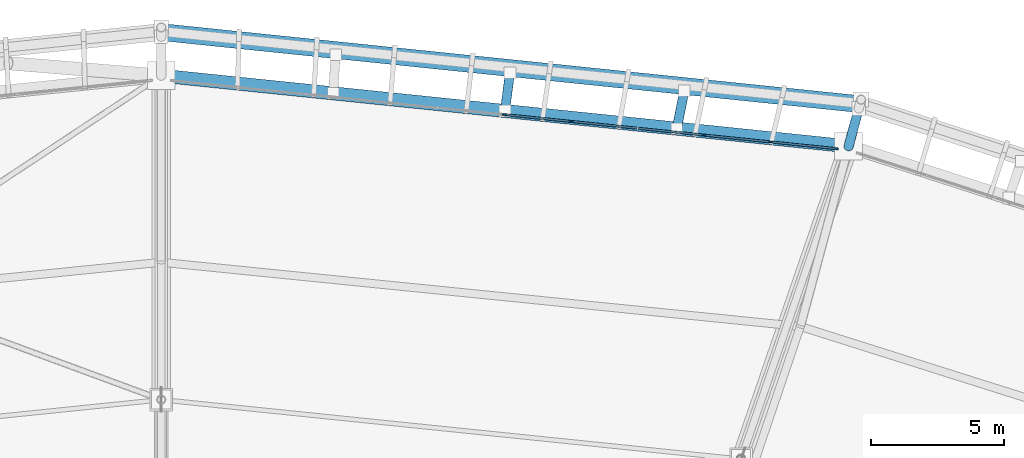
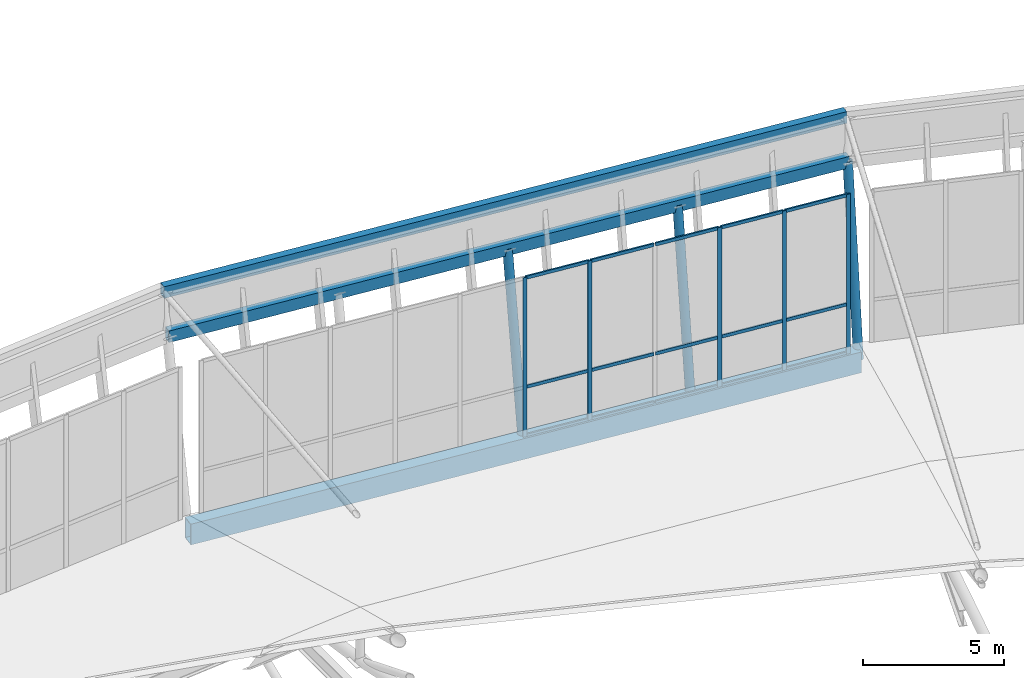
# One storey, part 73 of 115: 23 members, 3 beams, 1 element without a shape of its own.
"""IFC4 building model written with IfcOpenShell, lengths in metres."""

from ifc_helpers import new_model, si_unit, direction, frame, origin, origin_2d, place, context, subcontext, project, spatial, rectangle, hollow_rectangle, hollow_circle, extrude, material, material_profile, profile_set, type_object, element, aggregate, save


model = new_model("IFC4")

# Units and contexts
model_context = context("Model", 3, precision=1e-05, world=origin(), true_north=direction((0.0, 1.0)))
body_context = subcontext(model_context, "Body", "Model", "MODEL_VIEW")
ifc_project = project(units=[si_unit("LENGTHUNIT", "METRE"), si_unit("AREAUNIT", "SQUARE_METRE"), si_unit("VOLUMEUNIT", "CUBIC_METRE"), si_unit("PLANEANGLEUNIT", "RADIAN"), si_unit("MASSUNIT", "GRAM", prefix="KILO")], contexts=[model_context])

# Site, building, storey
site_placement = place(None, origin())
site = spatial("IfcSite", under=ifc_project, at=site_placement, CompositionType="ELEMENT")
building_placement = place(site_placement, origin())
building = spatial("IfcBuilding", under=site, at=building_placement, Name="Zlatoyarsky Gate Stadium", CompositionType="ELEMENT")
storey_placement = place(building_placement, frame((0.0, 0.0, 31.800048828125)))
storey = spatial("IfcBuildingStorey", under=building, at=storey_placement, Name="RF", CompositionType="ELEMENT", Elevation=31.800048828125)

# Curtain wall, members
ifc_material_1 = material(Name="Thermally broken anodised aluminium curtain wall", Category="aluminium")
curtain_wall_type = type_object("IfcCurtainWallType", Name="UNITISED SKYBOX RING GLAZING L05", PredefinedType="USERDEFINED", material=ifc_material_1)
curtain_wall_placement = place(storey_placement, origin())
curtain_wall = element("IfcCurtainWall", 1, at=curtain_wall_placement, inside=storey, type_object=curtain_wall_type, Name="Curtain wall CW-RF-05", ObjectType="UNITISED GLAZING", PredefinedType="USERDEFINED")
ifc_material_2 = material(Name="Anodised aluminium 6063-T6", Category="aluminium")
ifc_material_profile_1 = material_profile(ifc_material_2, rectangle(XDim=0.06494140625, YDim=0.159912109375, at=origin_2d()), Name="ALU 65X160")
ifc_profile_set_1 = profile_set([ifc_material_profile_1], Name="Anodised aluminium 6063-T6")
member_type_1 = type_object("IfcMemberType", Name="ALUMINIUM MULLION 65X160", PredefinedType="MULLION", material=ifc_profile_set_1)
member_1_placement = place(storey_placement, frame((136.422607421875, 155.27783203125, 0.0), z_axis=(0.0, 0.0, 1.0), x_axis=(-0.102125168703, -0.994771556649, 0.0)))
member_1 = element("IfcMember", 2, at=member_1_placement, type_object=member_type_1, Name="CW-UG5 mullion 1", PredefinedType="MULLION", context=body_context, shape_type="SweptSolid", body=[
    extrude(rectangle(XDim=0.06494140625, YDim=0.159912109375, at=origin_2d()), origin(), (0.0, 0.0, 1.0), 6.89990234375),
])
member_2_placement = place(storey_placement, frame((133.94921875, 155.53173828125, 0.0), z_axis=(0.0, 0.0, 1.0), x_axis=(-0.102125168703, -0.994771556649, 0.0)))
member_2 = element("IfcMember", 3, at=member_2_placement, type_object=member_type_1, Name="CW-UG5 mullion 2", PredefinedType="MULLION", context=body_context, shape_type="SweptSolid", body=[
    extrude(rectangle(XDim=0.06494140625, YDim=0.159912109375, at=origin_2d()), origin(), (0.0, 0.0, 1.0), 6.89990234375),
])
member_3_placement = place(storey_placement, frame((131.443603515625, 155.788818359375, 0.0), z_axis=(0.0, 0.0, 1.0), x_axis=(-0.102125168703, -0.994771556649, 0.0)))
member_3 = element("IfcMember", 4, at=member_3_placement, type_object=member_type_1, Name="CW-UG5 mullion 3", PredefinedType="MULLION", context=body_context, shape_type="SweptSolid", body=[
    extrude(rectangle(XDim=0.06494140625, YDim=0.159912109375, at=origin_2d()), origin(), (0.0, 0.0, 1.0), 6.89990234375),
])
member_4_placement = place(storey_placement, frame((126.43212890625, 156.303466796875, 0.0), z_axis=(0.0, 0.0, 1.0), x_axis=(-0.102125168703, -0.994771556649, 0.0)))
member_4 = element("IfcMember", 5, at=member_4_placement, type_object=member_type_1, Name="CW-UG5 mullion 5", PredefinedType="MULLION", context=body_context, shape_type="SweptSolid", body=[
    extrude(rectangle(XDim=0.06494140625, YDim=0.159912109375, at=origin_2d()), origin(), (0.0, 0.0, 1.0), 6.89990234375),
])
member_5_placement = place(storey_placement, frame((123.926513671875, 156.560546875, 0.0), z_axis=(0.0, 0.0, 1.0), x_axis=(-0.102125168703, -0.994771556649, 0.0)))
member_5 = element("IfcMember", 6, at=member_5_placement, type_object=member_type_1, Name="CW-UG5 mullion 6", PredefinedType="MULLION", context=body_context, shape_type="SweptSolid", body=[
    extrude(rectangle(XDim=0.06494140625, YDim=0.159912109375, at=origin_2d()), origin(), (0.0, 0.0, 1.0), 6.89990234375),
])
ifc_material_profile_2 = material_profile(ifc_material_2, rectangle(XDim=0.06494140625, YDim=0.139892578125, at=origin_2d()), Name="ALU 65X140")
ifc_profile_set_2 = profile_set([ifc_material_profile_2], Name="Anodised aluminium 6063-T6")
member_type_2 = type_object("IfcMemberType", Name="ALUMINIUM TRANSOM 65X140", PredefinedType="USERDEFINED", material=ifc_profile_set_2)
member_6_placement = place(storey_placement, frame((136.39013671875, 155.281005859375, 0.032470703125), z_axis=(-0.994770149226, 0.102138877069, 0.0), x_axis=(-0.102138877069, -0.994770149226, 0.0)))
member_6 = element("IfcMember", 7, at=member_6_placement, type_object=member_type_2, Name="CW-UG5 transom 1.1", ObjectType="TRANSOM", PredefinedType="USERDEFINED", context=body_context, shape_type="SweptSolid", body=[
    extrude(rectangle(XDim=0.06494140625, YDim=0.139892578125, at=origin_2d()), origin(), (0.0, 0.0, 1.0), 2.42138671875),
])
member_7_placement = place(storey_placement, frame((136.39013671875, 155.281005859375, 2.14990234375), z_axis=(-0.994770149226, 0.102138877069, 0.0), x_axis=(-0.102138877069, -0.994770149226, 0.0)))
member_7 = element("IfcMember", 8, at=member_7_placement, type_object=member_type_2, Name="CW-UG5 transom 1.2", ObjectType="TRANSOM", PredefinedType="USERDEFINED", context=body_context, shape_type="SweptSolid", body=[
    extrude(rectangle(XDim=0.06494140625, YDim=0.139892578125, at=origin_2d()), origin(), (0.0, 0.0, 1.0), 2.42138671875),
])
member_8_placement = place(storey_placement, frame((136.39013671875, 155.281005859375, 6.867431640625), z_axis=(-0.994770149226, 0.102138877069, 0.0), x_axis=(-0.102138877069, -0.994770149226, 0.0)))
member_8 = element("IfcMember", 9, at=member_8_placement, type_object=member_type_2, Name="CW-UG5 transom 1.3", ObjectType="TRANSOM", PredefinedType="USERDEFINED", context=body_context, shape_type="SweptSolid", body=[
    extrude(rectangle(XDim=0.06494140625, YDim=0.139892578125, at=origin_2d()), origin(), (0.0, 0.0, 1.0), 2.42138671875),
])
member_9_placement = place(storey_placement, frame((133.916748046875, 155.534912109375, 0.032470703125), z_axis=(-0.994765631546, 0.102182866933, 0.0), x_axis=(-0.102182866933, -0.994765631546, 0.0)))
member_9 = element("IfcMember", 10, at=member_9_placement, type_object=member_type_2, Name="CW-UG5 transom 2.1", ObjectType="TRANSOM", PredefinedType="USERDEFINED", context=body_context, shape_type="SweptSolid", body=[
    extrude(rectangle(XDim=0.06494140625, YDim=0.139892578125, at=origin_2d()), origin(), (0.0, 0.0, 1.0), 2.453857421875),
])
member_10_placement = place(storey_placement, frame((133.916748046875, 155.534912109375, 2.14990234375), z_axis=(-0.994765631546, 0.102182866933, 0.0), x_axis=(-0.102182866933, -0.994765631546, 0.0)))
member_10 = element("IfcMember", 11, at=member_10_placement, type_object=member_type_2, Name="CW-UG5 transom 2.2", ObjectType="TRANSOM", PredefinedType="USERDEFINED", context=body_context, shape_type="SweptSolid", body=[
    extrude(rectangle(XDim=0.06494140625, YDim=0.139892578125, at=origin_2d()), origin(), (0.0, 0.0, 1.0), 2.453857421875),
])
member_11_placement = place(storey_placement, frame((133.916748046875, 155.534912109375, 6.867431640625), z_axis=(-0.994765631546, 0.102182866933, 0.0), x_axis=(-0.102182866933, -0.994765631546, 0.0)))
member_11 = element("IfcMember", 12, at=member_11_placement, type_object=member_type_2, Name="CW-UG5 transom 2.3", ObjectType="TRANSOM", PredefinedType="USERDEFINED", context=body_context, shape_type="SweptSolid", body=[
    extrude(rectangle(XDim=0.06494140625, YDim=0.139892578125, at=origin_2d()), origin(), (0.0, 0.0, 1.0), 2.453857421875),
])
member_12_placement = place(storey_placement, frame((131.4111328125, 155.792236328125, 0.032470703125), z_axis=(-0.994775740393, 0.102084407846, 0.0), x_axis=(-0.102084407846, -0.994775740393, 0.0)))
member_12 = element("IfcMember", 13, at=member_12_placement, type_object=member_type_2, Name="CW-UG5 transom 3.1", ObjectType="TRANSOM", PredefinedType="USERDEFINED", context=body_context, shape_type="SweptSolid", body=[
    extrude(rectangle(XDim=0.06494140625, YDim=0.139892578125, at=origin_2d()), origin(), (0.0, 0.0, 1.0), 2.453857421875),
])
member_13_placement = place(storey_placement, frame((131.4111328125, 155.792236328125, 2.14990234375), z_axis=(-0.994775740393, 0.102084407846, 0.0), x_axis=(-0.102084407846, -0.994775740393, 0.0)))
member_13 = element("IfcMember", 14, at=member_13_placement, type_object=member_type_2, Name="CW-UG5 transom 3.2", ObjectType="TRANSOM", PredefinedType="USERDEFINED", context=body_context, shape_type="SweptSolid", body=[
    extrude(rectangle(XDim=0.06494140625, YDim=0.139892578125, at=origin_2d()), origin(), (0.0, 0.0, 1.0), 2.453857421875),
])
member_14_placement = place(storey_placement, frame((131.4111328125, 155.792236328125, 6.867431640625), z_axis=(-0.994775740393, 0.102084407846, 0.0), x_axis=(-0.102084407846, -0.994775740393, 0.0)))
member_14 = element("IfcMember", 15, at=member_14_placement, type_object=member_type_2, Name="CW-UG5 transom 3.3", ObjectType="TRANSOM", PredefinedType="USERDEFINED", context=body_context, shape_type="SweptSolid", body=[
    extrude(rectangle(XDim=0.06494140625, YDim=0.139892578125, at=origin_2d()), origin(), (0.0, 0.0, 1.0), 2.453857421875),
])
member_15_placement = place(storey_placement, frame((128.905517578125, 156.049560546875, 0.032470703125), z_axis=(-0.994776777125, 0.102074304763, 0.0), x_axis=(-0.102074304763, -0.994776777125, 0.0)))
member_15 = element("IfcMember", 16, at=member_15_placement, type_object=member_type_2, Name="CW-UG5 transom 4.1", ObjectType="TRANSOM", PredefinedType="USERDEFINED", context=body_context, shape_type="SweptSolid", body=[
    extrude(rectangle(XDim=0.06494140625, YDim=0.139892578125, at=origin_2d()), origin(), (0.0, 0.0, 1.0), 2.4541015625),
])
member_16_placement = place(storey_placement, frame((128.905517578125, 156.049560546875, 2.14990234375), z_axis=(-0.994776777125, 0.102074304763, 0.0), x_axis=(-0.102074304763, -0.994776777125, 0.0)))
member_16 = element("IfcMember", 17, at=member_16_placement, type_object=member_type_2, Name="CW-UG5 transom 4.2", ObjectType="TRANSOM", PredefinedType="USERDEFINED", context=body_context, shape_type="SweptSolid", body=[
    extrude(rectangle(XDim=0.06494140625, YDim=0.139892578125, at=origin_2d()), origin(), (0.0, 0.0, 1.0), 2.4541015625),
])
member_17_placement = place(storey_placement, frame((128.905517578125, 156.049560546875, 6.867431640625), z_axis=(-0.994776777125, 0.102074304763, 0.0), x_axis=(-0.102074304763, -0.994776777125, 0.0)))
member_17 = element("IfcMember", 18, at=member_17_placement, type_object=member_type_2, Name="CW-UG5 transom 4.3", ObjectType="TRANSOM", PredefinedType="USERDEFINED", context=body_context, shape_type="SweptSolid", body=[
    extrude(rectangle(XDim=0.06494140625, YDim=0.139892578125, at=origin_2d()), origin(), (0.0, 0.0, 1.0), 2.4541015625),
])
member_18_placement = place(storey_placement, frame((126.399658203125, 156.306640625, 0.032470703125), z_axis=(-0.994765631546, 0.102182866933, 0.0), x_axis=(-0.102182866933, -0.994765631546, 0.0)))
member_18 = element("IfcMember", 19, at=member_18_placement, type_object=member_type_2, Name="CW-UG5 transom 5.1", ObjectType="TRANSOM", PredefinedType="USERDEFINED", context=body_context, shape_type="SweptSolid", body=[
    extrude(rectangle(XDim=0.06494140625, YDim=0.139892578125, at=origin_2d()), origin(), (0.0, 0.0, 1.0), 2.453857421875),
])
member_19_placement = place(storey_placement, frame((126.399658203125, 156.306640625, 2.14990234375), z_axis=(-0.994765631546, 0.102182866933, 0.0), x_axis=(-0.102182866933, -0.994765631546, 0.0)))
member_19 = element("IfcMember", 20, at=member_19_placement, type_object=member_type_2, Name="CW-UG5 transom 5.2", ObjectType="TRANSOM", PredefinedType="USERDEFINED", context=body_context, shape_type="SweptSolid", body=[
    extrude(rectangle(XDim=0.06494140625, YDim=0.139892578125, at=origin_2d()), origin(), (0.0, 0.0, 1.0), 2.453857421875),
])
member_20_placement = place(storey_placement, frame((126.399658203125, 156.306640625, 6.867431640625), z_axis=(-0.994765631546, 0.102182866933, 0.0), x_axis=(-0.102182866933, -0.994765631546, 0.0)))
member_20 = element("IfcMember", 21, at=member_20_placement, type_object=member_type_2, Name="CW-UG5 transom 5.3", ObjectType="TRANSOM", PredefinedType="USERDEFINED", context=body_context, shape_type="SweptSolid", body=[
    extrude(rectangle(XDim=0.06494140625, YDim=0.139892578125, at=origin_2d()), origin(), (0.0, 0.0, 1.0), 2.453857421875),
])
aggregate(curtain_wall, [member_1, member_2, member_3, member_4, member_5, member_6, member_7, member_8, member_9, member_10, member_11, member_12, member_13, member_14, member_15, member_16, member_17, member_18, member_19, member_20])

# Members
ifc_material_3 = material(Name="Steel S355", Category="steel")
ifc_material_profile_3 = material_profile(ifc_material_3, hollow_circle(Radius=0.177734375, WallThickness=0.02001953125, at=origin_2d()), Name="CHS 355.6X20")
ifc_profile_set_3 = profile_set([ifc_material_profile_3], Name="Steel S355")
member_type_3 = type_object("IfcMemberType", Name="STEEL LEANING RIB RING STRUT CHS 355.6X20", PredefinedType="STRUT", material=ifc_profile_set_3)
member_21_placement = place(storey_placement, frame((136.88916015625, 155.368896484375, -0.449951171875), z_axis=(0.049047187534, 0.183162069458, 0.981858457063), x_axis=(-0.965966608807, 0.258666794678, 0.0)))
element("IfcMember", 22, at=member_21_placement, inside=storey, type_object=member_type_3, Name="Outward-leaning crown fascia lower post 05", PredefinedType="STRUT", context=body_context, shape_type="SweptSolid", body=[
    extrude(hollow_circle(Radius=0.177734375, WallThickness=0.02001953125, at=origin_2d()), origin(), (0.0, 0.0, 1.0), 7.740234375),
])
member_22_placement = place(storey_placement, frame((130.416748046875, 156.03369140625, -0.449951171875), z_axis=(0.036817494785, 0.184813097216, 0.982083800485), x_axis=(-0.980728495703, 0.195375581168, 0.0)))
element("IfcMember", 23, at=member_22_placement, inside=storey, type_object=member_type_3, Name="Outward-leaning bowl louvre fin rib RF 05-1", PredefinedType="STRUT", context=body_context, shape_type="SweptSolid", body=[
    extrude(hollow_circle(Radius=0.177734375, WallThickness=0.02001953125, at=origin_2d()), origin(), (0.0, 0.0, 1.0), 7.738525390625),
])
member_23_placement = place(storey_placement, frame((123.944580078125, 156.6982421875, -0.449951171875), z_axis=(0.024546908275, 0.186436607967, 0.982160292673), x_axis=(-0.991443441463, 0.130536977062, 0.0)))
element("IfcMember", 24, at=member_23_placement, inside=storey, type_object=member_type_3, Name="Outward-leaning bowl louvre fin rib RF 05-2", PredefinedType="STRUT", context=body_context, shape_type="SweptSolid", body=[
    extrude(hollow_circle(Radius=0.177734375, WallThickness=0.02001953125, at=origin_2d()), origin(), (0.0, 0.0, 1.0), 7.73779296875),
])

# Beams
ifc_material_profile_4 = material_profile(ifc_material_3, hollow_rectangle(XDim=0.300048828125, YDim=0.5, WallThickness=0.02001953125, at=origin_2d()), Name="RHS 500X300X20")
ifc_profile_set_4 = profile_set([ifc_material_profile_4], Name="Steel S355")
beam_type_1 = type_object("IfcBeamType", Name="STEEL LOUVRE CARRIER SPANDREL RHS 500X300X20", PredefinedType="SPANDREL", material=ifc_profile_set_4)
beam_1_placement = place(storey_placement, frame((137.268798828125, 156.78662109375, 7.14990234375), z_axis=(-0.994725543927, 0.102572375716, 0.0), x_axis=(-0.102572375716, -0.994725543927, 0.0)))
element("IfcBeam", 25, at=beam_1_placement, inside=storey, type_object=beam_type_1, Name="Crown eaves fascia bottom carrier spandrel 05", PredefinedType="SPANDREL", context=body_context, shape_type="SweptSolid", body=[
    extrude(hollow_rectangle(XDim=0.300048828125, YDim=0.5, WallThickness=0.02001953125, at=origin_2d()), origin(), (0.0, 0.0, 1.0), 26.408203125),
])
beam_2_placement = place(storey_placement, frame((137.359130859375, 157.12353515625, 8.849853515625), z_axis=(-0.994715342527, 0.102671258599, 0.0), x_axis=(-0.102671258599, -0.994715342527, 0.0)))
element("IfcBeam", 26, at=beam_2_placement, inside=storey, type_object=beam_type_1, Name="Crown fascia top carrier spandrel 05", PredefinedType="SPANDREL", context=body_context, shape_type="SweptSolid", body=[
    extrude(hollow_rectangle(XDim=0.300048828125, YDim=0.5, WallThickness=0.02001953125, at=origin_2d()), origin(), (0.0, 0.0, 1.0), 26.499267578125),
])
ifc_material_profile_5 = material_profile(ifc_material_3, hollow_rectangle(XDim=0.5, YDim=0.89990234375, WallThickness=0.028076171875, at=origin_2d()), Name="RHS 900X500X28")
ifc_profile_set_5 = profile_set([ifc_material_profile_5], Name="Steel S355")
beam_type_2 = type_object("IfcBeamType", Name="STEEL OUTER COMPRESSION RING BEAM RHS 900X500X28", PredefinedType="USERDEFINED", material=ifc_profile_set_5)
beam_3_placement = place(storey_placement, frame((136.88916015625, 155.368896484375, -0.449951171875), z_axis=(-0.994768198126, 0.102157877799, 0.0), x_axis=(-0.102157877799, -0.994768198126, 0.0)))
element("IfcBeam", 27, at=beam_3_placement, inside=storey, type_object=beam_type_2, Name="Outer compression ring beam 05", ObjectType="RING BEAM", PredefinedType="USERDEFINED", context=body_context, shape_type="SweptSolid", body=[
    extrude(hollow_rectangle(XDim=0.5, YDim=0.89990234375, WallThickness=0.028076171875, at=origin_2d()), origin(), (0.0, 0.0, 1.0), 26.025390625),
])

save(model, "model.ifc")
